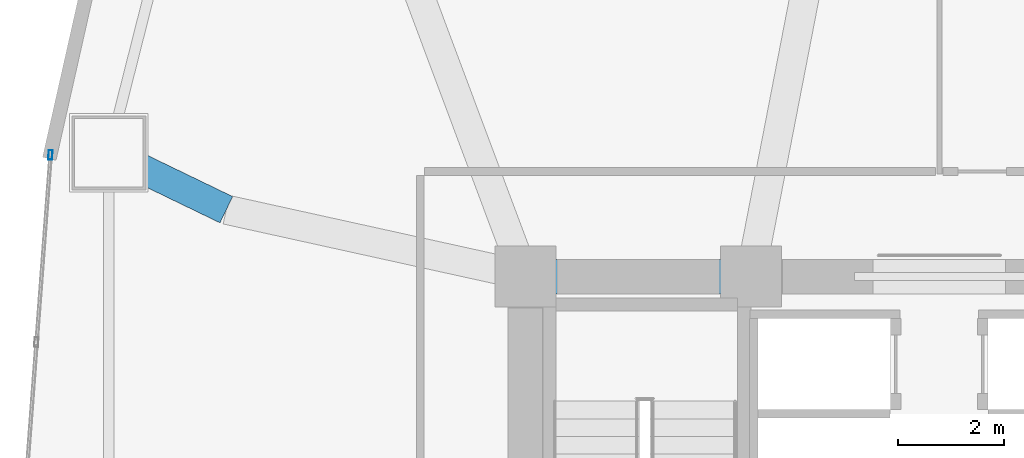
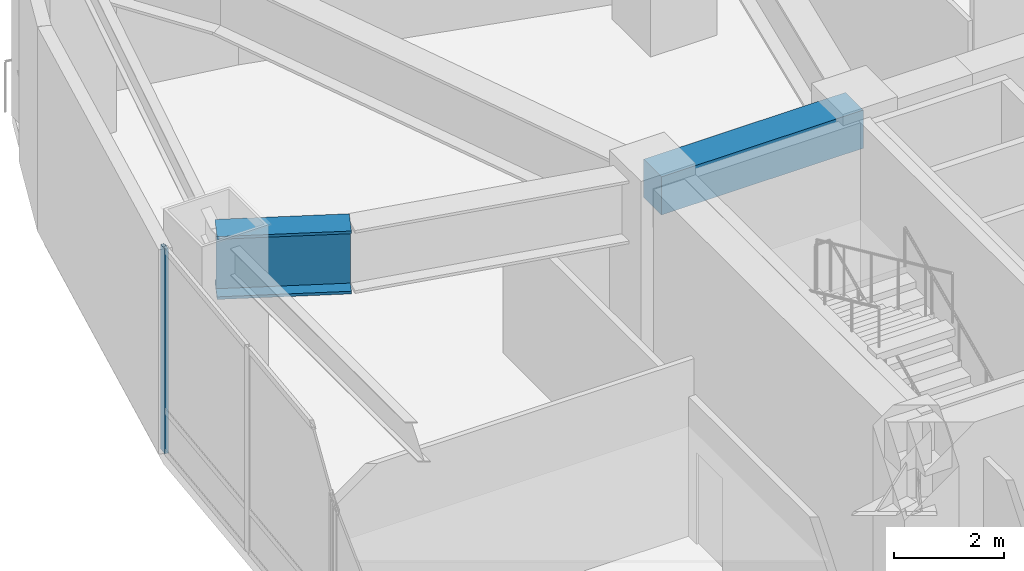
# One storey, part 9 of 19: 2 beams, 1 member, 1 element without a shape of its own.
"""IFC4 building model written with IfcOpenShell, lengths in metres."""

from ifc_helpers import new_model, si_unit, direction, frame, origin, origin_2d, place, context, subcontext, project, spatial, rectangle, hollow_rectangle, i_section, extrude, material, layer, layer_set, material_profile, profile_set, type_object, element, aggregate, save


model = new_model("IFC4")

# Units and contexts
model_context = context("Model", 3, precision=1e-05, world=origin(), true_north=direction((0.0, 1.0)))
body_context = subcontext(model_context, "Body", "Model", "MODEL_VIEW")
ifc_project = project(units=[si_unit("LENGTHUNIT", "METRE"), si_unit("AREAUNIT", "SQUARE_METRE"), si_unit("VOLUMEUNIT", "CUBIC_METRE"), si_unit("PLANEANGLEUNIT", "RADIAN"), si_unit("MASSUNIT", "GRAM", prefix="KILO")], contexts=[model_context])

# Site, building, storey
site_placement = place(None, origin())
site = spatial("IfcSite", under=ifc_project, at=site_placement, CompositionType="ELEMENT")
building_placement = place(site_placement, origin())
building = spatial("IfcBuilding", under=site, at=building_placement, Name="Menara Vayukalpa", CompositionType="ELEMENT")
storey_placement = place(building_placement, frame((0.0, 0.0, 22.800048828125)))
storey = spatial("IfcBuildingStorey", under=building, at=storey_placement, Name="L04", CompositionType="ELEMENT", Elevation=22.800048828125)

# Beams
ifc_material_1 = material(Name="Concrete C60/75", Category="concrete")
ifc_material_profile_1 = material_profile(ifc_material_1, rectangle(XDim=0.64990234375, YDim=0.85009765625, at=origin_2d()), Name="RC 650x850")
ifc_profile_set_1 = profile_set([ifc_material_profile_1], Name="Concrete C60/75")
beam_type_1 = type_object("IfcBeamType", Name="BM-CB1", PredefinedType="BEAM", material=ifc_profile_set_1)
beam_1_placement = place(storey_placement, frame((17.800048828125, 26.800048828125, 4.125), z_axis=(1.0, 0.0, 0.0), x_axis=(0.0, 1.0, 0.0)))
element("IfcBeam", 1, at=beam_1_placement, inside=storey, type_object=beam_type_1, Name="L04 Core Tie Beam CBR4", PredefinedType="BEAM", context=body_context, shape_type="SweptSolid", body=[
    extrude(rectangle(XDim=0.64990234375, YDim=0.85009765625, at=origin_2d()), origin(), (0.0, 0.0, 1.0), 4.25),
])
ifc_material_2 = material(Name="Steel S460", Category="steel")
ifc_material_profile_2 = material_profile(ifc_material_2, i_section(OverallWidth=0.550048828125, OverallDepth=1.39990234375, WebThickness=0.031982421875, FlangeThickness=0.06005859375, at=origin_2d()), Name="WG 1400x550x32x60")
ifc_profile_set_2 = profile_set([ifc_material_profile_2], Name="Steel S460")
beam_type_2 = type_object("IfcBeamType", Name="BM-TG1", PredefinedType="BEAM", material=ifc_profile_set_2)
beam_2_placement = place(storey_placement, frame((12.164306640625, 28.0595703125, 3.849853515625), z_axis=(-0.90034765526, 0.435171345182, 0.0), x_axis=(-0.435171345182, -0.90034765526, 0.0)))
element("IfcBeam", 2, at=beam_2_placement, inside=storey, type_object=beam_type_2, Name="L04 Radial Transfer Girder Outer 05", PredefinedType="BEAM", context=body_context, shape_type="SweptSolid", body=[
    extrude(i_section(OverallWidth=0.550048828125, OverallDepth=1.39990234375, WebThickness=0.031982421875, FlangeThickness=0.06005859375, at=origin_2d()), origin(), (0.0, 0.0, 1.0), 2.457275390625),
])

# Curtain wall, member
ifc_material_3 = material(Name="Anodised Terracotta Aluminium Alloy 6063-T6", Category="masonry")
ifc_layer = layer(ifc_material_3, 0.179931640625)
ifc_layer_set = layer_set([ifc_layer], Name="Anodised Terracotta Aluminium Alloy 6063-T6")
curtain_wall_type = type_object("IfcCurtainWallType", Name="CW-CW1", PredefinedType="USERDEFINED", material=ifc_layer_set)
curtain_wall_placement = place(storey_placement, origin())
curtain_wall = element("IfcCurtainWall", 3, at=curtain_wall_placement, inside=storey, type_object=curtain_wall_type, Name="L04 Podium Unitised Ribbon Curtain Wall CW1 10", ObjectType="UNITISED", PredefinedType="USERDEFINED")
ifc_material_4 = material(Name="Anodised Terracotta Aluminium Alloy 6063-T6", Category="masonry")
ifc_material_profile_3 = material_profile(ifc_material_4, hollow_rectangle(XDim=0.074951171875, YDim=0.179931640625, WallThickness=0.00390625, at=origin_2d()), Name="ALU 75x180x4")
ifc_profile_set_3 = profile_set([ifc_material_profile_3], Name="Anodised Terracotta Aluminium Alloy 6063-T6")
member_type = type_object("IfcMemberType", Name="CWM-CW1", PredefinedType="MULLION", material=ifc_profile_set_3)
member_placement = place(storey_placement, frame((8.84912109375, 29.091552734375, 0.0), z_axis=(0.0, 0.0, 1.0), x_axis=(0.997198970825, -0.074794468953, 0.0)))
member = element("IfcMember", 4, at=member_placement, type_object=member_type, Name="CW1 mullion 1", PredefinedType="MULLION", context=body_context, shape_type="SweptSolid", body=[
    extrude(hollow_rectangle(XDim=0.074951171875, YDim=0.179931640625, WallThickness=0.00390625, at=origin_2d()), origin(), (0.0, 0.0, 1.0), 4.550048828125),
])
aggregate(curtain_wall, [member])

save(model, "model.ifc")
